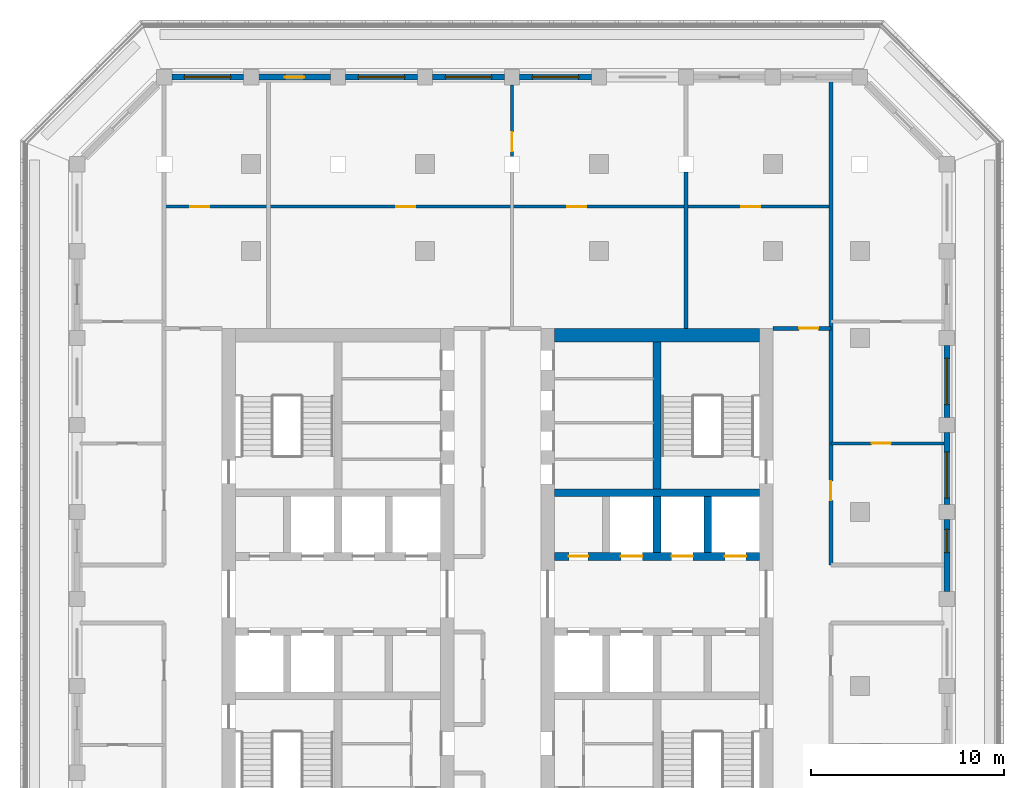
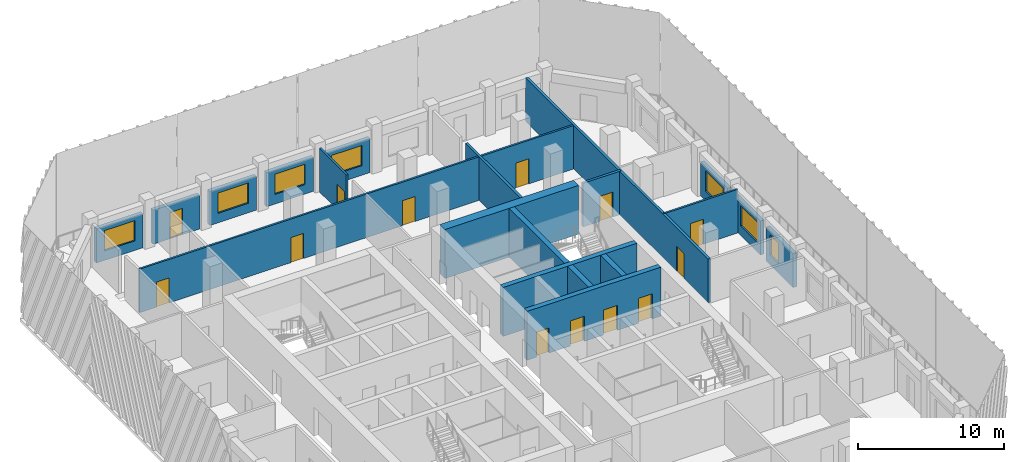
# One storey, part 7 of 17: 20 walls, 13 doors, 7 windows, 20 openings.
"""IFC4 building model written with IfcOpenShell, lengths in metres."""

from ifc_helpers import new_model, si_unit, direction, frame, frame_2d, origin, place, context, subcontext, project, spatial, rectangle, extrude, material, layer, layer_set, type_object, element, fill, save


model = new_model("IFC4")

# Units and contexts
model_context = context("Model", 3, precision=1e-05, world=origin(), true_north=direction((0.0, 1.0)))
body_context = subcontext(model_context, "Body", "Model", "MODEL_VIEW")
ifc_project = project(units=[si_unit("LENGTHUNIT", "METRE"), si_unit("AREAUNIT", "SQUARE_METRE"), si_unit("VOLUMEUNIT", "CUBIC_METRE"), si_unit("PLANEANGLEUNIT", "RADIAN"), si_unit("MASSUNIT", "GRAM", prefix="KILO")], contexts=[model_context])

# Site, building, storey
site_placement = place(None, origin())
site = spatial("IfcSite", under=ifc_project, at=site_placement, CompositionType="ELEMENT")
building_placement = place(site_placement, origin())
building = spatial("IfcBuilding", under=site, at=building_placement, Name="Corbel Stack Research Tower", CompositionType="ELEMENT")
storey_placement = place(building_placement, frame((0.0, 0.0, 231.60009765625)))
storey = spatial("IfcBuildingStorey", under=building, at=storey_placement, Name="L52", CompositionType="ELEMENT", Elevation=231.60009765625)

# Wall, openings, doors
ifc_material_1 = material(Name="Concrete C60/75", Category="concrete")
ifc_layer_1 = layer(ifc_material_1, 0.39990234375)
ifc_layer_set_1 = layer_set([ifc_layer_1], Name="Concrete C60/75")
wall_type_1 = type_object("IfcWallType", Name="CW-400-60", PredefinedType="SHEAR", material=ifc_layer_set_1)
wall_1_placement = place(storey_placement, frame((6.699951171875, 6.699951171875, 0.0), z_axis=(0.0, 0.0, 1.0), x_axis=(1.0, 0.0, 0.0)))
wall_1 = element("IfcWall", 1, at=wall_1_placement, inside=storey, type_object=wall_type_1, Name="East core wall, lobby north L52", PredefinedType="SHEAR", context=body_context, shape_type="SweptSolid", body=[
    extrude(rectangle(XDim=10.60009765625, YDim=0.39990234375, at=frame_2d((5.300048828125, 0.0))), origin(), (0.0, 0.0, 1.0), 4.099853515625),
])
opening_1_placement = place(wall_1_placement, frame((3.4375, 0.0, 0.0)))
opening_1 = element("IfcOpeningElement", 2, at=opening_1_placement, cuts=wall_1, Name="Opening LD-HR4", PredefinedType="OPENING", context=body_context, shape_type="SweptSolid", body=[
    extrude(rectangle(XDim=1.10009765625, YDim=2.10009765625, at=frame_2d((0.550048828125, 1.050048828125))), frame((0.0, 0.2099609375, 0.0), z_axis=(0.0, -1.0, 0.0), x_axis=(1.0, 0.0, 0.0)), (0.0, 0.0, 1.0), 0.419921875),
])
opening_2_placement = place(wall_1_placement, frame((6.0625, 0.0, 0.0)))
opening_2 = element("IfcOpeningElement", 3, at=opening_2_placement, cuts=wall_1, Name="Opening LD-HR5", PredefinedType="OPENING", context=body_context, shape_type="SweptSolid", body=[
    extrude(rectangle(XDim=1.10009765625, YDim=2.10009765625, at=frame_2d((0.550048828125, 1.050048828125))), frame((0.0, 0.2099609375, 0.0), z_axis=(0.0, -1.0, 0.0), x_axis=(1.0, 0.0, 0.0)), (0.0, 0.0, 1.0), 0.419921875),
])
opening_3_placement = place(wall_1_placement, frame((8.8125, 0.0, 0.0)))
opening_3 = element("IfcOpeningElement", 4, at=opening_3_placement, cuts=wall_1, Name="Opening LD-HR6", PredefinedType="OPENING", context=body_context, shape_type="SweptSolid", body=[
    extrude(rectangle(XDim=1.10009765625, YDim=2.10009765625, at=frame_2d((0.550048828125, 1.050048828125))), frame((0.0, 0.2099609375, 0.0), z_axis=(0.0, -1.0, 0.0), x_axis=(1.0, 0.0, 0.0)), (0.0, 0.0, 1.0), 0.419921875),
])
opening_4_placement = place(wall_1_placement, frame((0.737548828125, 0.0, 0.0)))
opening_4 = element("IfcOpeningElement", 5, at=opening_4_placement, cuts=wall_1, Name="Opening CR-E66-N1", PredefinedType="OPENING", context=body_context, shape_type="SweptSolid", body=[
    extrude(rectangle(XDim=1.0, YDim=2.10009765625, at=frame_2d((0.5, 1.050048828125))), frame((0.0, 0.2099609375, 0.0), z_axis=(0.0, -1.0, 0.0), x_axis=(1.0, 0.0, 0.0)), (0.0, 0.0, 1.0), 0.419921875),
])
ifc_material_2 = material(Name="Stainless steel landing door", Category="steel")
door_type_1 = type_object("IfcDoorType", Name="Lift landing door 1100 x 2100", OperationType="DOUBLE_DOOR_SLIDING", PredefinedType="DOOR", material=ifc_material_2)
door_1_placement = place(opening_1_placement, origin())
door_1 = element("IfcDoor", 6, at=door_1_placement, inside=storey, type_object=door_type_1, Name="Landing door HR4", OperationType="DOUBLE_DOOR_SLIDING", OverallHeight=2.10009765625, OverallWidth=1.10009765625, PredefinedType="DOOR", context=body_context, shape_type="SweptSolid", body=[
    extrude(rectangle(XDim=1.10009765625, YDim=2.10009765625, at=frame_2d((0.550048828125, 1.050048828125))), frame((0.0, 0.02490234375, 0.0), z_axis=(0.0, -1.0, 0.0), x_axis=(1.0, 0.0, 0.0)), (0.0, 0.0, 1.0), 0.050048828125),
])
fill(opening_1, door_1)
door_2_placement = place(opening_2_placement, origin())
door_2 = element("IfcDoor", 7, at=door_2_placement, inside=storey, type_object=door_type_1, Name="Landing door HR5", OperationType="DOUBLE_DOOR_SLIDING", OverallHeight=2.10009765625, OverallWidth=1.10009765625, PredefinedType="DOOR", context=body_context, shape_type="SweptSolid", body=[
    extrude(rectangle(XDim=1.10009765625, YDim=2.10009765625, at=frame_2d((0.550048828125, 1.050048828125))), frame((0.0, 0.02490234375, 0.0), z_axis=(0.0, -1.0, 0.0), x_axis=(1.0, 0.0, 0.0)), (0.0, 0.0, 1.0), 0.050048828125),
])
fill(opening_2, door_2)
door_3_placement = place(opening_3_placement, origin())
door_3 = element("IfcDoor", 8, at=door_3_placement, inside=storey, type_object=door_type_1, Name="Landing door HR6", OperationType="DOUBLE_DOOR_SLIDING", OverallHeight=2.10009765625, OverallWidth=1.10009765625, PredefinedType="DOOR", context=body_context, shape_type="SweptSolid", body=[
    extrude(rectangle(XDim=1.10009765625, YDim=2.10009765625, at=frame_2d((0.550048828125, 1.050048828125))), frame((0.0, 0.02490234375, 0.0), z_axis=(0.0, -1.0, 0.0), x_axis=(1.0, 0.0, 0.0)), (0.0, 0.0, 1.0), 0.050048828125),
])
fill(opening_3, door_3)
ifc_material_3 = material(Name="Painted steel door", Category="steel")
door_type_2 = type_object("IfcDoorType", Name="Service door 1000 x 2100 FD60 left hand", OperationType="SINGLE_SWING_LEFT", PredefinedType="DOOR", material=ifc_material_3)
door_4_placement = place(opening_4_placement, origin())
door_4 = element("IfcDoor", 9, at=door_4_placement, inside=storey, type_object=door_type_2, Name="Laboratory consumables store door E core", OperationType="SINGLE_SWING_LEFT", OverallHeight=2.10009765625, OverallWidth=1.0, PredefinedType="DOOR", context=body_context, shape_type="SweptSolid", body=[
    extrude(rectangle(XDim=1.0, YDim=2.10009765625, at=frame_2d((0.5, 1.050048828125))), frame((0.0, 0.02490234375, 0.0), z_axis=(0.0, -1.0, 0.0), x_axis=(1.0, 0.0, 0.0)), (0.0, 0.0, 1.0), 0.050048828125),
])
fill(opening_4, door_4)

# Walls
wall_2_placement = place(storey_placement, frame((6.699951171875, 10.0, 0.0), z_axis=(0.0, 0.0, 1.0), x_axis=(1.0, 0.0, 0.0)))
element("IfcWall", 10, at=wall_2_placement, inside=storey, type_object=wall_type_1, Name="East core wall, north row back L52", PredefinedType="SHEAR", context=body_context, shape_type="SweptSolid", body=[
    extrude(rectangle(XDim=10.60009765625, YDim=0.39990234375, at=frame_2d((5.300048828125, 0.0))), origin(), (0.0, 0.0, 1.0), 4.099853515625),
])
for number, where, z_axis, x_axis, name in (
    (11, (12.0, 6.89990234375, 0.0), (0.0, 0.0, 1.0), (0.0, 1.0, 0.0), "East core wall, north shaft 2 L52"),
    (12, (14.625, 6.89990234375, 0.0), (0.0, 0.0, 1.0), (0.0, 1.0, 0.0), "East core wall, north shaft 3 L52"),
):
    element("IfcWall", number, at=place(storey_placement, frame(where, z_axis=z_axis, x_axis=x_axis)), inside=storey, type_object=wall_type_1, Name=name, PredefinedType="SHEAR", context=body_context, shape_type="SweptSolid", body=[
        extrude(rectangle(XDim=2.900146484375, YDim=0.39990234375, at=frame_2d((1.4501953125, 0.0))), origin(), (0.0, 0.0, 1.0), 4.099853515625),
    ])
wall_3_placement = place(storey_placement, frame((12.0, 10.199951171875, 0.0), z_axis=(0.0, 0.0, 1.0), x_axis=(0.0, 1.0, 0.0)))
element("IfcWall", 13, at=wall_3_placement, inside=storey, type_object=wall_type_1, Name="East core wall, north stair and riser L52", PredefinedType="SHEAR", context=body_context, shape_type="SweptSolid", body=[
    extrude(rectangle(XDim=7.60009765625, YDim=0.39990234375, at=frame_2d((3.800048828125, 0.0))), origin(), (0.0, 0.0, 1.0), 4.099853515625),
])
ifc_material_4 = material(Name="Concrete C60/75", Category="concrete")
ifc_layer_2 = layer(ifc_material_4, 0.699951171875)
ifc_layer_set_2 = layer_set([ifc_layer_2], Name="Concrete C60/75")
wall_type_2 = type_object("IfcWallType", Name="CW-700-60", PredefinedType="SHEAR", material=ifc_layer_set_2)
wall_4_placement = place(storey_placement, frame((6.699951171875, 18.14990234375, 0.0), z_axis=(0.0, 0.0, 1.0), x_axis=(1.0, 0.0, 0.0)))
element("IfcWall", 14, at=wall_4_placement, inside=storey, type_object=wall_type_2, Name="East core wall, north end L52", PredefinedType="SHEAR", context=body_context, shape_type="SweptSolid", body=[
    extrude(rectangle(XDim=10.60009765625, YDim=0.699951171875, at=frame_2d((5.300048828125, 0.0))), origin(), (0.0, 0.0, 1.0), 4.099853515625),
])

# Wall, opening, door
ifc_material_5 = material(Name="Fire-rated gypsum board partition on steel studs", Category="steel")
ifc_layer_3 = layer(ifc_material_5, 0.14990234375)
ifc_layer_set_3 = layer_set([ifc_layer_3], Name="Fire-rated gypsum board partition on steel studs")
wall_type_3 = type_object("IfcWallType", Name="Fire-rated partition 150 EI 60", PredefinedType="PARTITIONING", material=ifc_layer_set_3)
wall_5_placement = place(storey_placement, frame((4.5, 31.10009765625, 0.0), z_axis=(0.0, 0.0, 1.0), x_axis=(0.0, -1.0, 0.0)))
wall_5 = element("IfcWall", 15, at=wall_5_placement, inside=storey, type_object=wall_type_3, Name="Partition L52-012", PredefinedType="PARTITIONING", context=body_context, shape_type="SweptSolid", body=[
    extrude(rectangle(XDim=3.7001953125, YDim=0.14990234375, at=frame_2d((1.85009765625, 0.0))), origin(), (0.0, 0.0, 1.0), 3.64990234375),
])
opening_5_placement = place(wall_5_placement, frame((2.449951171875, 0.0, 0.0)))
opening_5 = element("IfcOpeningElement", 16, at=opening_5_placement, cuts=wall_5, Name="Opening B7V0H-018", PredefinedType="OPENING", context=body_context, shape_type="SweptSolid", body=[
    extrude(rectangle(XDim=1.0, YDim=2.10009765625, at=frame_2d((0.5, 1.050048828125))), frame((0.0, 0.0849609375, 0.0), z_axis=(0.0, -1.0, 0.0), x_axis=(1.0, 0.0, 0.0)), (0.0, 0.0, 1.0), 0.169921875),
])
ifc_material_6 = material(Name="Painted steel fire door", Category="steel")
door_type_3 = type_object("IfcDoorType", Name="Fire door FD30S 1000 x 2100", OperationType="NOTDEFINED", PredefinedType="DOOR", material=ifc_material_6)
door_5_placement = place(opening_5_placement, origin())
door_5 = element("IfcDoor", 17, at=door_5_placement, inside=storey, type_object=door_type_3, Name="Door B7V0H-018", OperationType="SINGLE_SWING_RIGHT", OverallHeight=2.10009765625, OverallWidth=1.0, PredefinedType="DOOR", context=body_context, shape_type="SweptSolid", body=[
    extrude(rectangle(XDim=1.0, YDim=2.10009765625, at=frame_2d((0.5, 1.050048828125))), frame((0.0, 0.02490234375, 0.0), z_axis=(0.0, -1.0, 0.0), x_axis=(1.0, 0.0, 0.0)), (0.0, 0.0, 1.0), 0.050048828125),
])
fill(opening_5, door_5)

# Wall
ifc_material_7 = material(Name="Fire-rated gypsum board partition on steel studs", Category="steel")
ifc_layer_4 = layer(ifc_material_7, 0.199951171875)
ifc_layer_set_4 = layer_set([ifc_layer_4], Name="Fire-rated gypsum board partition on steel studs")
wall_type_4 = type_object("IfcWallType", Name="Fire-rated partition 200 EI 60", PredefinedType="PARTITIONING", material=ifc_layer_set_4)
wall_6_placement = place(storey_placement, frame((13.5, 18.5, 0.0), z_axis=(0.0, 0.0, 1.0), x_axis=(0.0, 1.0, 0.0)))
element("IfcWall", 18, at=wall_6_placement, inside=storey, type_object=wall_type_4, Name="Partition L52-014", PredefinedType="PARTITIONING", context=body_context, shape_type="SweptSolid", body=[
    extrude(rectangle(XDim=8.10009765625, YDim=0.199951171875, at=frame_2d((4.050048828125, 0.0))), origin(), (0.0, 0.0, 1.0), 3.64990234375),
])

# Wall, opening, door
wall_7_placement = place(storey_placement, frame((21.0, 31.35009765625, 0.0), z_axis=(0.0, 0.0, 1.0), x_axis=(0.0, -1.0, 0.0)))
wall_7 = element("IfcWall", 19, at=wall_7_placement, inside=storey, type_object=wall_type_4, Name="Partition L52-017", PredefinedType="PARTITIONING", context=body_context, shape_type="SweptSolid", body=[
    extrude(rectangle(XDim=25.10009765625, YDim=0.199951171875, at=frame_2d((12.550048828125, 0.0))), origin(), (0.0, 0.0, 1.0), 3.64990234375),
])
opening_6_placement = place(wall_7_placement, frame((20.75, 0.0, 0.0)))
opening_6 = element("IfcOpeningElement", 20, at=opening_6_placement, cuts=wall_7, Name="Opening B7V0H-027", PredefinedType="OPENING", context=body_context, shape_type="SweptSolid", body=[
    extrude(rectangle(XDim=1.0, YDim=2.10009765625, at=frame_2d((0.5, 1.050048828125))), frame((0.0, 0.10986328125, 0.0), z_axis=(0.0, -1.0, 0.0), x_axis=(1.0, 0.0, 0.0)), (0.0, 0.0, 1.0), 0.219970703125),
])
door_6_placement = place(opening_6_placement, origin())
door_6 = element("IfcDoor", 21, at=door_6_placement, inside=storey, type_object=door_type_3, Name="Door B7V0H-027", OperationType="SINGLE_SWING_RIGHT", OverallHeight=2.10009765625, OverallWidth=1.0, PredefinedType="DOOR", context=body_context, shape_type="SweptSolid", body=[
    extrude(rectangle(XDim=1.0, YDim=2.10009765625, at=frame_2d((0.5, 1.050048828125))), frame((0.0, 0.02490234375, 0.0), z_axis=(0.0, -1.0, 0.0), x_axis=(1.0, 0.0, 0.0)), (0.0, 0.0, 1.0), 0.050048828125),
])
fill(opening_6, door_6)

wall_8_placement = place(storey_placement, frame((18.0, 18.5, 0.0), z_axis=(0.0, 0.0, 1.0), x_axis=(1.0, 0.0, 0.0)))
wall_8 = element("IfcWall", 22, at=wall_8_placement, inside=storey, type_object=wall_type_4, Name="Partition L52-039", PredefinedType="PARTITIONING", context=body_context, shape_type="SweptSolid", body=[
    extrude(rectangle(XDim=3.0, YDim=0.199951171875, at=frame_2d((1.5, 0.0))), origin(), (0.0, 0.0, 1.0), 3.64990234375),
])
opening_7_placement = place(wall_8_placement, frame((1.35009765625, 0.0, 0.0)))
opening_7 = element("IfcOpeningElement", 23, at=opening_7_placement, cuts=wall_8, Name="Opening B7V0H-023", PredefinedType="OPENING", context=body_context, shape_type="SweptSolid", body=[
    extrude(rectangle(XDim=1.0, YDim=2.10009765625, at=frame_2d((0.5, 1.050048828125))), frame((0.0, 0.10986328125, 0.0), z_axis=(0.0, -1.0, 0.0), x_axis=(1.0, 0.0, 0.0)), (0.0, 0.0, 1.0), 0.219970703125),
])
door_7_placement = place(opening_7_placement, origin())
door_7 = element("IfcDoor", 24, at=door_7_placement, inside=storey, type_object=door_type_3, Name="Door B7V0H-023", OperationType="SINGLE_SWING_RIGHT", OverallHeight=2.10009765625, OverallWidth=1.0, PredefinedType="DOOR", context=body_context, shape_type="SweptSolid", body=[
    extrude(rectangle(XDim=1.0, YDim=2.10009765625, at=frame_2d((0.5, 1.050048828125))), frame((0.0, 0.02490234375, 0.0), z_axis=(0.0, -1.0, 0.0), x_axis=(1.0, 0.0, 0.0)), (0.0, 0.0, 1.0), 0.050048828125),
])
fill(opening_7, door_7)

ifc_material_8 = material(Name="Gypsum board partition on steel studs", Category="steel")
ifc_layer_5 = layer(ifc_material_8, 0.14990234375)
ifc_layer_set_5 = layer_set([ifc_layer_5], Name="Gypsum board partition on steel studs")
wall_type_5 = type_object("IfcWallType", Name="Partition 150", PredefinedType="PARTITIONING", material=ifc_layer_set_5)
wall_9_placement = place(storey_placement, frame((21.0, 12.550048828125, 0.0), z_axis=(0.0, 0.0, 1.0), x_axis=(1.0, 0.0, 0.0)))
wall_9 = element("IfcWall", 25, at=wall_9_placement, inside=storey, type_object=wall_type_5, Name="Partition L52-036", PredefinedType="PARTITIONING", context=body_context, shape_type="SweptSolid", body=[
    extrude(rectangle(XDim=5.85009765625, YDim=0.14990234375, at=frame_2d((2.925048828125, 0.0))), origin(), (0.0, 0.0, 1.0), 3.64990234375),
])
opening_8_placement = place(wall_9_placement, frame((2.10009765625, 0.0, 0.0)))
opening_8 = element("IfcOpeningElement", 26, at=opening_8_placement, cuts=wall_9, Name="Opening B7V0H-020", PredefinedType="OPENING", context=body_context, shape_type="SweptSolid", body=[
    extrude(rectangle(XDim=1.0, YDim=2.10009765625, at=frame_2d((0.5, 1.050048828125))), frame((0.0, 0.0849609375, 0.0), z_axis=(0.0, -1.0, 0.0), x_axis=(1.0, 0.0, 0.0)), (0.0, 0.0, 1.0), 0.169921875),
])
ifc_material_9 = material(Name="Painted timber door", Category="wood")
door_type_4 = type_object("IfcDoorType", Name="Single door 1000 x 2100", OperationType="NOTDEFINED", PredefinedType="DOOR", material=ifc_material_9)
door_8_placement = place(opening_8_placement, origin())
door_8 = element("IfcDoor", 27, at=door_8_placement, inside=storey, type_object=door_type_4, Name="Door B7V0H-020", OperationType="SINGLE_SWING_LEFT", OverallHeight=2.10009765625, OverallWidth=1.0, PredefinedType="DOOR", context=body_context, shape_type="SweptSolid", body=[
    extrude(rectangle(XDim=1.0, YDim=2.10009765625, at=frame_2d((0.5, 1.050048828125))), frame((0.0, 0.02490234375, 0.0), z_axis=(0.0, -1.0, 0.0), x_axis=(1.0, 0.0, 0.0)), (0.0, 0.0, 1.0), 0.050048828125),
])
fill(opening_8, door_8)

# Wall, openings, doors
wall_10_placement = place(storey_placement, frame((-13.5, 24.800048828125, 0.0), z_axis=(0.0, 0.0, 1.0), x_axis=(1.0, 0.0, 0.0)))
wall_10 = element("IfcWall", 28, at=wall_10_placement, inside=storey, type_object=wall_type_5, Name="Partition L52-042", PredefinedType="PARTITIONING", context=body_context, shape_type="SweptSolid", body=[
    extrude(rectangle(XDim=34.5, YDim=0.14990234375, at=frame_2d((17.25, 0.0))), origin(), (0.0, 0.0, 1.0), 3.64990234375),
])
opening_9_placement = place(wall_10_placement, frame((1.35009765625, 0.0, 0.0)))
opening_9 = element("IfcOpeningElement", 29, at=opening_9_placement, cuts=wall_10, Name="Opening B7V0H-028", PredefinedType="OPENING", context=body_context, shape_type="SweptSolid", body=[
    extrude(rectangle(XDim=1.0, YDim=2.10009765625, at=frame_2d((0.5, 1.050048828125))), frame((0.0, 0.0849609375, 0.0), z_axis=(0.0, -1.0, 0.0), x_axis=(1.0, 0.0, 0.0)), (0.0, 0.0, 1.0), 0.169921875),
])
opening_10_placement = place(wall_10_placement, frame((12.0, 0.0, 0.0)))
opening_10 = element("IfcOpeningElement", 30, at=opening_10_placement, cuts=wall_10, Name="Opening B7V0H-029", PredefinedType="OPENING", context=body_context, shape_type="SweptSolid", body=[
    extrude(rectangle(XDim=1.0, YDim=2.10009765625, at=frame_2d((0.5, 1.050048828125))), frame((0.0, 0.0849609375, 0.0), z_axis=(0.0, -1.0, 0.0), x_axis=(1.0, 0.0, 0.0)), (0.0, 0.0, 1.0), 0.169921875),
])
opening_11_placement = place(wall_10_placement, frame((20.85009765625, 0.0, 0.0)))
opening_11 = element("IfcOpeningElement", 31, at=opening_11_placement, cuts=wall_10, Name="Opening B7V0H-030", PredefinedType="OPENING", context=body_context, shape_type="SweptSolid", body=[
    extrude(rectangle(XDim=1.0, YDim=2.10009765625, at=frame_2d((0.5, 1.050048828125))), frame((0.0, 0.0849609375, 0.0), z_axis=(0.0, -1.0, 0.0), x_axis=(1.0, 0.0, 0.0)), (0.0, 0.0, 1.0), 0.169921875),
])
opening_12_placement = place(wall_10_placement, frame((29.85009765625, 0.0, 0.0)))
opening_12 = element("IfcOpeningElement", 32, at=opening_12_placement, cuts=wall_10, Name="Opening B7V0H-031", PredefinedType="OPENING", context=body_context, shape_type="SweptSolid", body=[
    extrude(rectangle(XDim=1.0, YDim=2.10009765625, at=frame_2d((0.5, 1.050048828125))), frame((0.0, 0.0849609375, 0.0), z_axis=(0.0, -1.0, 0.0), x_axis=(1.0, 0.0, 0.0)), (0.0, 0.0, 1.0), 0.169921875),
])
door_9_placement = place(opening_9_placement, origin())
door_9 = element("IfcDoor", 33, at=door_9_placement, inside=storey, type_object=door_type_4, Name="Door B7V0H-028", OperationType="SINGLE_SWING_LEFT", OverallHeight=2.10009765625, OverallWidth=1.0, PredefinedType="DOOR", context=body_context, shape_type="SweptSolid", body=[
    extrude(rectangle(XDim=1.0, YDim=2.10009765625, at=frame_2d((0.5, 1.050048828125))), frame((0.0, 0.02490234375, 0.0), z_axis=(0.0, -1.0, 0.0), x_axis=(1.0, 0.0, 0.0)), (0.0, 0.0, 1.0), 0.050048828125),
])
fill(opening_9, door_9)
door_10_placement = place(opening_10_placement, origin())
door_10 = element("IfcDoor", 34, at=door_10_placement, inside=storey, type_object=door_type_4, Name="Door B7V0H-029", OperationType="SINGLE_SWING_LEFT", OverallHeight=2.10009765625, OverallWidth=1.0, PredefinedType="DOOR", context=body_context, shape_type="SweptSolid", body=[
    extrude(rectangle(XDim=1.0, YDim=2.10009765625, at=frame_2d((0.5, 1.050048828125))), frame((0.0, 0.02490234375, 0.0), z_axis=(0.0, -1.0, 0.0), x_axis=(1.0, 0.0, 0.0)), (0.0, 0.0, 1.0), 0.050048828125),
])
fill(opening_10, door_10)
door_11_placement = place(opening_11_placement, origin())
door_11 = element("IfcDoor", 35, at=door_11_placement, inside=storey, type_object=door_type_4, Name="Door B7V0H-030", OperationType="SINGLE_SWING_RIGHT", OverallHeight=2.10009765625, OverallWidth=1.0, PredefinedType="DOOR", context=body_context, shape_type="SweptSolid", body=[
    extrude(rectangle(XDim=1.0, YDim=2.10009765625, at=frame_2d((0.5, 1.050048828125))), frame((0.0, 0.02490234375, 0.0), z_axis=(0.0, -1.0, 0.0), x_axis=(1.0, 0.0, 0.0)), (0.0, 0.0, 1.0), 0.050048828125),
])
fill(opening_11, door_11)
door_12_placement = place(opening_12_placement, origin())
door_12 = element("IfcDoor", 36, at=door_12_placement, inside=storey, type_object=door_type_4, Name="Door B7V0H-031", OperationType="SINGLE_SWING_RIGHT", OverallHeight=2.10009765625, OverallWidth=1.0, PredefinedType="DOOR", context=body_context, shape_type="SweptSolid", body=[
    extrude(rectangle(XDim=1.0, YDim=2.10009765625, at=frame_2d((0.5, 1.050048828125))), frame((0.0, 0.02490234375, 0.0), z_axis=(0.0, -1.0, 0.0), x_axis=(1.0, 0.0, 0.0)), (0.0, 0.0, 1.0), 0.050048828125),
])
fill(opening_12, door_12)

# Wall, opening, window
ifc_material_10 = material(Name="Concrete C45/55", Category="concrete")
ifc_layer_6 = layer(ifc_material_10, 0.300048828125)
ifc_layer_set_6 = layer_set([ifc_layer_6], Name="Concrete C45/55")
wall_type_6 = type_object("IfcWallType", Name="Terracotta-faced concrete wall 300", PredefinedType="SOLIDWALL", material=ifc_layer_set_6)
wall_11_placement = place(storey_placement, frame((27.0, 8.60009765625, 0.0), z_axis=(0.0, 0.0, 1.0), x_axis=(0.0, -1.0, 0.0)))
wall_11 = element("IfcWall", 37, at=wall_11_placement, inside=storey, type_object=wall_type_6, Name="Facade wall L52 E06", PredefinedType="SOLIDWALL", context=body_context, shape_type="SweptSolid", body=[
    extrude(rectangle(XDim=3.7001953125, YDim=0.300048828125, at=frame_2d((1.85009765625, 0.0))), origin(), (0.0, 0.0, 1.0), 2.849853515625),
])
opening_13_placement = place(wall_11_placement, frame((0.5, 0.0, 0.800048828125)))
opening_13 = element("IfcOpeningElement", 38, at=opening_13_placement, cuts=wall_11, Name="Opening W2", PredefinedType="OPENING", context=body_context, shape_type="SweptSolid", body=[
    extrude(rectangle(XDim=1.199951171875, YDim=1.699951171875, at=frame_2d((0.60009765625, 0.85009765625))), frame((0.0, 0.159912109375, 0.0), z_axis=(0.0, -1.0, 0.0), x_axis=(1.0, 0.0, 0.0)), (0.0, 0.0, 1.0), 0.320068359375),
])
ifc_material_11 = material(Name="Aluminium frame, clear double glazing", Category="aluminium")
window_type_1 = type_object("IfcWindowType", Name="Window W2 1200 x 1700", PartitioningType="SINGLE_PANEL", PredefinedType="WINDOW", material=ifc_material_11)
window_1_placement = place(opening_13_placement, origin())
window_1 = element("IfcWindow", 39, at=window_1_placement, inside=storey, type_object=window_type_1, Name="Window W2 L52 E06", OverallHeight=1.699951171875, OverallWidth=1.199951171875, PartitioningType="SINGLE_PANEL", PredefinedType="WINDOW", context=body_context, shape_type="SweptSolid", body=[
    extrude(rectangle(XDim=1.199951171875, YDim=1.699951171875, at=frame_2d((0.60009765625, 0.85009765625))), frame((0.0, 0.030029296875, 0.0), z_axis=(0.0, -1.0, 0.0), x_axis=(1.0, 0.0, 0.0)), (0.0, 0.0, 1.0), 0.06005859375),
])
fill(opening_13, window_1)

wall_12_placement = place(storey_placement, frame((27.0, 13.10009765625, 0.0), z_axis=(0.0, 0.0, 1.0), x_axis=(0.0, -1.0, 0.0)))
wall_12 = element("IfcWall", 40, at=wall_12_placement, inside=storey, type_object=wall_type_6, Name="Facade wall L52 E07", PredefinedType="SOLIDWALL", context=body_context, shape_type="SweptSolid", body=[
    extrude(rectangle(XDim=3.7001953125, YDim=0.300048828125, at=frame_2d((1.85009765625, 0.0))), origin(), (0.0, 0.0, 1.0), 2.849853515625),
])
opening_14_placement = place(wall_12_placement, frame((0.987548828125, 0.0, 0.800048828125)))
opening_14 = element("IfcOpeningElement", 41, at=opening_14_placement, cuts=wall_12, Name="Opening W1", PredefinedType="OPENING", context=body_context, shape_type="SweptSolid", body=[
    extrude(rectangle(XDim=2.39990234375, YDim=1.699951171875, at=frame_2d((1.199951171875, 0.85009765625))), frame((0.0, 0.159912109375, 0.0), z_axis=(0.0, -1.0, 0.0), x_axis=(1.0, 0.0, 0.0)), (0.0, 0.0, 1.0), 0.320068359375),
])
ifc_material_12 = material(Name="Aluminium frame, clear double glazing", Category="aluminium")
window_type_2 = type_object("IfcWindowType", Name="Window W1 2400 x 1700", PartitioningType="SINGLE_PANEL", PredefinedType="WINDOW", material=ifc_material_12)
window_2_placement = place(opening_14_placement, origin())
window_2 = element("IfcWindow", 42, at=window_2_placement, inside=storey, type_object=window_type_2, Name="Window W1 L52 E07", OverallHeight=1.699951171875, OverallWidth=2.39990234375, PartitioningType="SINGLE_PANEL", PredefinedType="WINDOW", context=body_context, shape_type="SweptSolid", body=[
    extrude(rectangle(XDim=2.39990234375, YDim=1.699951171875, at=frame_2d((1.199951171875, 0.85009765625))), frame((0.0, 0.030029296875, 0.0), z_axis=(0.0, -1.0, 0.0), x_axis=(1.0, 0.0, 0.0)), (0.0, 0.0, 1.0), 0.06005859375),
])
fill(opening_14, window_2)

wall_13_placement = place(storey_placement, frame((27.0, 17.60009765625, 0.0), z_axis=(0.0, 0.0, 1.0), x_axis=(0.0, -1.0, 0.0)))
wall_13 = element("IfcWall", 43, at=wall_13_placement, inside=storey, type_object=wall_type_6, Name="Facade wall L52 E08", PredefinedType="SOLIDWALL", context=body_context, shape_type="SweptSolid", body=[
    extrude(rectangle(XDim=3.7001953125, YDim=0.300048828125, at=frame_2d((1.85009765625, 0.0))), origin(), (0.0, 0.0, 1.0), 2.849853515625),
])
opening_15_placement = place(wall_13_placement, frame((0.64990234375, 0.0, 0.800048828125)))
opening_15 = element("IfcOpeningElement", 44, at=opening_15_placement, cuts=wall_13, Name="Opening W1", PredefinedType="OPENING", context=body_context, shape_type="SweptSolid", body=[
    extrude(rectangle(XDim=2.39990234375, YDim=1.699951171875, at=frame_2d((1.199951171875, 0.85009765625))), frame((0.0, 0.159912109375, 0.0), z_axis=(0.0, -1.0, 0.0), x_axis=(1.0, 0.0, 0.0)), (0.0, 0.0, 1.0), 0.320068359375),
])
window_3_placement = place(opening_15_placement, origin())
window_3 = element("IfcWindow", 45, at=window_3_placement, inside=storey, type_object=window_type_2, Name="Window W1 L52 E08", OverallHeight=1.699951171875, OverallWidth=2.39990234375, PartitioningType="SINGLE_PANEL", PredefinedType="WINDOW", context=body_context, shape_type="SweptSolid", body=[
    extrude(rectangle(XDim=2.39990234375, YDim=1.699951171875, at=frame_2d((1.199951171875, 0.85009765625))), frame((0.0, 0.030029296875, 0.0), z_axis=(0.0, -1.0, 0.0), x_axis=(1.0, 0.0, 0.0)), (0.0, 0.0, 1.0), 0.06005859375),
])
fill(opening_15, window_3)

wall_14_placement = place(storey_placement, frame((4.89990234375, 31.5, 0.0), z_axis=(0.0, 0.0, 1.0), x_axis=(1.0, 0.0, 0.0)))
wall_14 = element("IfcWall", 46, at=wall_14_placement, inside=storey, type_object=wall_type_6, Name="Facade wall L52 N04", PredefinedType="SOLIDWALL", context=body_context, shape_type="SweptSolid", body=[
    extrude(rectangle(XDim=3.7001953125, YDim=0.300048828125, at=frame_2d((1.85009765625, 0.0))), origin(), (0.0, 0.0, 1.0), 2.849853515625),
])
opening_16_placement = place(wall_14_placement, frame((0.64990234375, 0.0, 0.800048828125)))
opening_16 = element("IfcOpeningElement", 47, at=opening_16_placement, cuts=wall_14, Name="Opening W1", PredefinedType="OPENING", context=body_context, shape_type="SweptSolid", body=[
    extrude(rectangle(XDim=2.39990234375, YDim=1.699951171875, at=frame_2d((1.199951171875, 0.85009765625))), frame((0.0, 0.159912109375, 0.0), z_axis=(0.0, -1.0, 0.0), x_axis=(1.0, 0.0, 0.0)), (0.0, 0.0, 1.0), 0.320068359375),
])
window_4_placement = place(opening_16_placement, origin())
window_4 = element("IfcWindow", 48, at=window_4_placement, inside=storey, type_object=window_type_2, Name="Window W1 L52 N04", OverallHeight=1.699951171875, OverallWidth=2.39990234375, PartitioningType="SINGLE_PANEL", PredefinedType="WINDOW", context=body_context, shape_type="SweptSolid", body=[
    extrude(rectangle(XDim=2.39990234375, YDim=1.699951171875, at=frame_2d((1.199951171875, 0.85009765625))), frame((0.0, 0.030029296875, 0.0), z_axis=(0.0, -1.0, 0.0), x_axis=(1.0, 0.0, 0.0)), (0.0, 0.0, 1.0), 0.06005859375),
])
fill(opening_16, window_4)

wall_15_placement = place(storey_placement, frame((0.39990234375, 31.5, 0.0), z_axis=(0.0, 0.0, 1.0), x_axis=(1.0, 0.0, 0.0)))
wall_15 = element("IfcWall", 49, at=wall_15_placement, inside=storey, type_object=wall_type_6, Name="Facade wall L52 N05", PredefinedType="SOLIDWALL", context=body_context, shape_type="SweptSolid", body=[
    extrude(rectangle(XDim=3.7001953125, YDim=0.300048828125, at=frame_2d((1.85009765625, 0.0))), origin(), (0.0, 0.0, 1.0), 2.849853515625),
])
opening_17_placement = place(wall_15_placement, frame((0.64990234375, 0.0, 0.800048828125)))
opening_17 = element("IfcOpeningElement", 50, at=opening_17_placement, cuts=wall_15, Name="Opening W1", PredefinedType="OPENING", context=body_context, shape_type="SweptSolid", body=[
    extrude(rectangle(XDim=2.39990234375, YDim=1.699951171875, at=frame_2d((1.199951171875, 0.85009765625))), frame((0.0, 0.159912109375, 0.0), z_axis=(0.0, -1.0, 0.0), x_axis=(1.0, 0.0, 0.0)), (0.0, 0.0, 1.0), 0.320068359375),
])
window_5_placement = place(opening_17_placement, origin())
window_5 = element("IfcWindow", 51, at=window_5_placement, inside=storey, type_object=window_type_2, Name="Window W1 L52 N05", OverallHeight=1.699951171875, OverallWidth=2.39990234375, PartitioningType="SINGLE_PANEL", PredefinedType="WINDOW", context=body_context, shape_type="SweptSolid", body=[
    extrude(rectangle(XDim=2.39990234375, YDim=1.699951171875, at=frame_2d((1.199951171875, 0.85009765625))), frame((0.0, 0.030029296875, 0.0), z_axis=(0.0, -1.0, 0.0), x_axis=(1.0, 0.0, 0.0)), (0.0, 0.0, 1.0), 0.06005859375),
])
fill(opening_17, window_5)

wall_16_placement = place(storey_placement, frame((-4.10009765625, 31.5, 0.0), z_axis=(0.0, 0.0, 1.0), x_axis=(1.0, 0.0, 0.0)))
wall_16 = element("IfcWall", 52, at=wall_16_placement, inside=storey, type_object=wall_type_6, Name="Facade wall L52 N06", PredefinedType="SOLIDWALL", context=body_context, shape_type="SweptSolid", body=[
    extrude(rectangle(XDim=3.7001953125, YDim=0.300048828125, at=frame_2d((1.85009765625, 0.0))), origin(), (0.0, 0.0, 1.0), 2.849853515625),
])
opening_18_placement = place(wall_16_placement, frame((0.64990234375, 0.0, 0.800048828125)))
opening_18 = element("IfcOpeningElement", 53, at=opening_18_placement, cuts=wall_16, Name="Opening W1", PredefinedType="OPENING", context=body_context, shape_type="SweptSolid", body=[
    extrude(rectangle(XDim=2.39990234375, YDim=1.699951171875, at=frame_2d((1.199951171875, 0.85009765625))), frame((0.0, 0.159912109375, 0.0), z_axis=(0.0, -1.0, 0.0), x_axis=(1.0, 0.0, 0.0)), (0.0, 0.0, 1.0), 0.320068359375),
])
window_6_placement = place(opening_18_placement, origin())
window_6 = element("IfcWindow", 54, at=window_6_placement, inside=storey, type_object=window_type_2, Name="Window W1 L52 N06", OverallHeight=1.699951171875, OverallWidth=2.39990234375, PartitioningType="SINGLE_PANEL", PredefinedType="WINDOW", context=body_context, shape_type="SweptSolid", body=[
    extrude(rectangle(XDim=2.39990234375, YDim=1.699951171875, at=frame_2d((1.199951171875, 0.85009765625))), frame((0.0, 0.030029296875, 0.0), z_axis=(0.0, -1.0, 0.0), x_axis=(1.0, 0.0, 0.0)), (0.0, 0.0, 1.0), 0.06005859375),
])
fill(opening_18, window_6)

# Wall, opening, door
wall_17_placement = place(storey_placement, frame((-8.60009765625, 31.5, 0.0), z_axis=(0.0, 0.0, 1.0), x_axis=(1.0, 0.0, 0.0)))
wall_17 = element("IfcWall", 55, at=wall_17_placement, inside=storey, type_object=wall_type_6, Name="Facade wall L52 N07", PredefinedType="SOLIDWALL", context=body_context, shape_type="SweptSolid", body=[
    extrude(rectangle(XDim=3.7001953125, YDim=0.300048828125, at=frame_2d((1.85009765625, 0.0))), origin(), (0.0, 0.0, 1.0), 2.849853515625),
])
opening_19_placement = place(wall_17_placement, frame((1.35009765625, 0.0, 0.0)))
opening_19 = element("IfcOpeningElement", 56, at=opening_19_placement, cuts=wall_17, Name="Opening L52-B08", PredefinedType="OPENING", context=body_context, shape_type="SweptSolid", body=[
    extrude(rectangle(XDim=1.0, YDim=2.199951171875, at=frame_2d((0.5, 1.10009765625))), frame((0.0, 0.159912109375, 0.0), z_axis=(0.0, -1.0, 0.0), x_axis=(1.0, 0.0, 0.0)), (0.0, 0.0, 1.0), 0.320068359375),
])
ifc_material_13 = material(Name="Aluminium frame, clear double glazing", Category="aluminium")
door_type_5 = type_object("IfcDoorType", Name="Balcony door BD1 1000 x 2200", OperationType="NOTDEFINED", PredefinedType="DOOR", material=ifc_material_13)
door_13_placement = place(opening_19_placement, origin())
door_13 = element("IfcDoor", 57, at=door_13_placement, inside=storey, type_object=door_type_5, Name="Balcony door L52-B08", OperationType="SINGLE_SWING_LEFT", OverallHeight=2.199951171875, OverallWidth=1.0, PredefinedType="DOOR", context=body_context, shape_type="SweptSolid", body=[
    extrude(rectangle(XDim=1.0, YDim=2.199951171875, at=frame_2d((0.5, 1.10009765625))), frame((0.0, 0.02490234375, 0.0), z_axis=(0.0, -1.0, 0.0), x_axis=(1.0, 0.0, 0.0)), (0.0, 0.0, 1.0), 0.050048828125),
])
fill(opening_19, door_13)

# Wall, opening, window
wall_18_placement = place(storey_placement, frame((-13.10009765625, 31.5, 0.0), z_axis=(0.0, 0.0, 1.0), x_axis=(1.0, 0.0, 0.0)))
wall_18 = element("IfcWall", 58, at=wall_18_placement, inside=storey, type_object=wall_type_6, Name="Facade wall L52 N08", PredefinedType="SOLIDWALL", context=body_context, shape_type="SweptSolid", body=[
    extrude(rectangle(XDim=3.7001953125, YDim=0.300048828125, at=frame_2d((1.85009765625, 0.0))), origin(), (0.0, 0.0, 1.0), 2.849853515625),
])
opening_20_placement = place(wall_18_placement, frame((0.64990234375, 0.0, 0.800048828125)))
opening_20 = element("IfcOpeningElement", 59, at=opening_20_placement, cuts=wall_18, Name="Opening W1", PredefinedType="OPENING", context=body_context, shape_type="SweptSolid", body=[
    extrude(rectangle(XDim=2.39990234375, YDim=1.699951171875, at=frame_2d((1.199951171875, 0.85009765625))), frame((0.0, 0.159912109375, 0.0), z_axis=(0.0, -1.0, 0.0), x_axis=(1.0, 0.0, 0.0)), (0.0, 0.0, 1.0), 0.320068359375),
])
window_7_placement = place(opening_20_placement, origin())
window_7 = element("IfcWindow", 60, at=window_7_placement, inside=storey, type_object=window_type_2, Name="Window W1 L52 N08", OverallHeight=1.699951171875, OverallWidth=2.39990234375, PartitioningType="SINGLE_PANEL", PredefinedType="WINDOW", context=body_context, shape_type="SweptSolid", body=[
    extrude(rectangle(XDim=2.39990234375, YDim=1.699951171875, at=frame_2d((1.199951171875, 0.85009765625))), frame((0.0, 0.030029296875, 0.0), z_axis=(0.0, -1.0, 0.0), x_axis=(1.0, 0.0, 0.0)), (0.0, 0.0, 1.0), 0.06005859375),
])
fill(opening_20, window_7)

save(model, "model.ifc")
